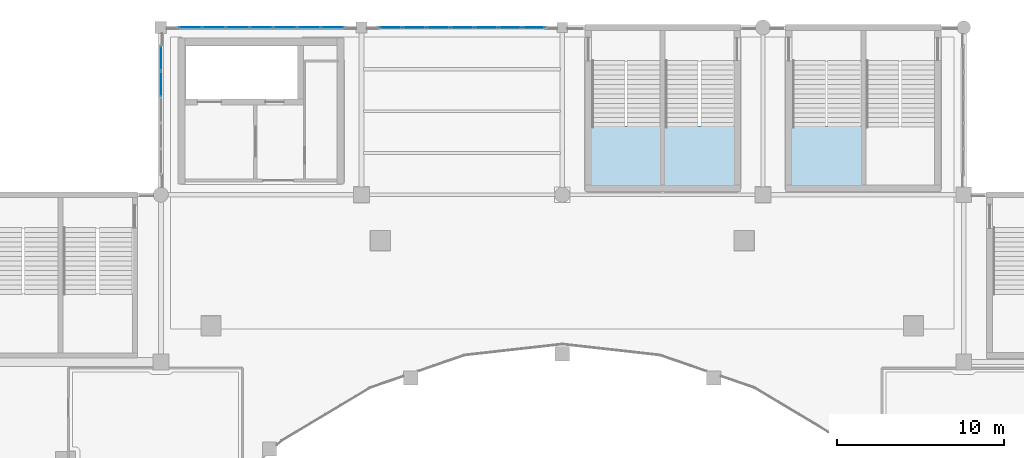
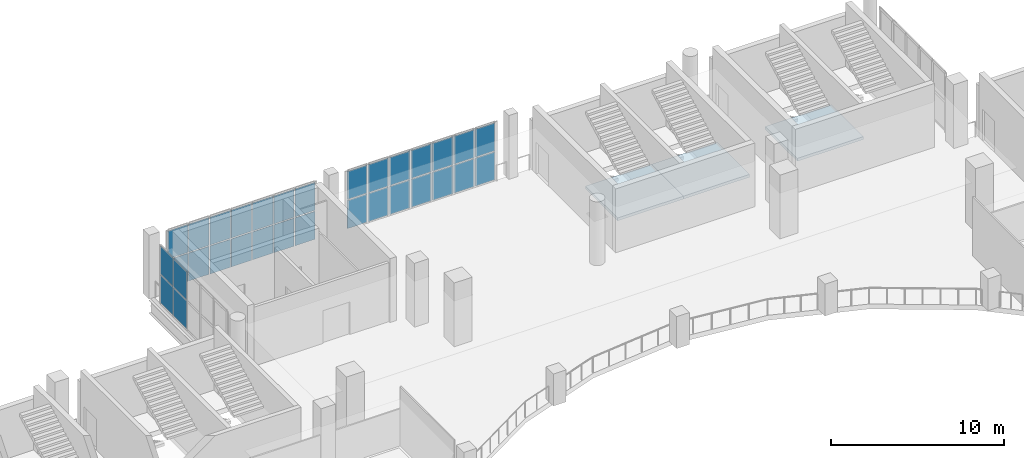
# One storey, part 55 of 90: 32 plates, 3 slabs, 6 elements without a shape of their own.
"""IFC4 building model written with IfcOpenShell, lengths in metres."""

from ifc_helpers import new_model, si_unit, direction, frame, origin, origin_2d, place, context, subcontext, project, spatial, polyline, rectangle, outline, extrude, material, layer, layer_set, type_object, element, aggregate, save


model = new_model("IFC4")

# Units and contexts
model_context = context("Model", 3, precision=1e-05, world=origin(), true_north=direction((0.0, 1.0)))
body_context = subcontext(model_context, "Body", "Model", "MODEL_VIEW")
ifc_project = project(units=[si_unit("LENGTHUNIT", "METRE"), si_unit("AREAUNIT", "SQUARE_METRE"), si_unit("VOLUMEUNIT", "CUBIC_METRE"), si_unit("PLANEANGLEUNIT", "RADIAN"), si_unit("MASSUNIT", "GRAM", prefix="KILO")], contexts=[model_context])

# Site, building, storey
site_placement = place(None, origin())
site = spatial("IfcSite", under=ifc_project, at=site_placement, CompositionType="ELEMENT")
building_placement = place(site_placement, origin())
building = spatial("IfcBuilding", under=site, at=building_placement, Name="Brinegate Civic Arena", CompositionType="ELEMENT")
storey_placement = place(building_placement, frame((0.0, 0.0, 14.699951171875)))
storey = spatial("IfcBuildingStorey", under=building, at=storey_placement, Name="L03", CompositionType="ELEMENT", Elevation=14.699951171875)

# Curtain wall, plates
ifc_material_1 = material(Name="Marine grade aluminium", Category="aluminium")
ifc_layer_1 = layer(ifc_material_1, 0.235107421875, Name="Marine grade aluminium")
ifc_layer_set_1 = layer_set([ifc_layer_1], Name="Marine grade aluminium")
curtain_wall_type = type_object("IfcCurtainWallType", Name="CW-PORTAL-NORTH-01", PredefinedType="USERDEFINED", material=ifc_layer_set_1)
curtain_wall_1_placement = place(storey_placement, origin())
curtain_wall_1 = element("IfcCurtainWall", 1, at=curtain_wall_1_placement, inside=storey, type_object=curtain_wall_type, Name="Curtain Wall CWA-124", ObjectType="PORTAL CURTAIN WALL", PredefinedType="USERDEFINED")
ifc_material_2 = material(Name="Hurricane laminated low-E glass", Category="glass")
ifc_layer_2 = layer(ifc_material_2, 0.028076171875, Name="Hurricane laminated low-E glass")
ifc_layer_set_2 = layer_set([ifc_layer_2], Name="Hurricane laminated low-E glass")
plate_type_1 = type_object("IfcPlateType", Name="CW-PANEL-GLAZED-28", PredefinedType="CURTAIN_PANEL", material=ifc_layer_set_2)
plate_1_placement = place(storey_placement, frame((85.771728515625, 124.0, 0.0751953125), z_axis=(0.0, 0.0, 1.0), x_axis=(1.0, 0.0, 0.0)))
plate_1 = element("IfcPlate", 2, at=plate_1_placement, type_object=plate_type_1, Name="CWA-124 panel 1.1", PredefinedType="CURTAIN_PANEL", context=body_context, shape_type="SweptSolid", body=[
    extrude(rectangle(XDim=1.3232421875, YDim=0.028076171875, at=origin_2d()), origin(), (0.0, 0.0, 1.0), 1.967529296875),
])
plate_2_placement = place(storey_placement, frame((85.771728515625, 124.0, 2.11767578125), z_axis=(0.0, 0.0, 1.0), x_axis=(1.0, 0.0, 0.0)))
plate_2 = element("IfcPlate", 3, at=plate_2_placement, type_object=plate_type_1, Name="CWA-124 panel 1.2", PredefinedType="CURTAIN_PANEL", context=body_context, shape_type="SweptSolid", body=[
    extrude(rectangle(XDim=1.3232421875, YDim=0.028076171875, at=origin_2d()), origin(), (0.0, 0.0, 1.0), 1.967529296875),
])
plate_3_placement = place(storey_placement, frame((87.176025390625, 124.0, 0.0751953125), z_axis=(0.0, 0.0, 1.0), x_axis=(1.0, 0.0, 0.0)))
plate_3 = element("IfcPlate", 4, at=plate_3_placement, type_object=plate_type_1, Name="CWA-124 panel 2.1", PredefinedType="CURTAIN_PANEL", context=body_context, shape_type="SweptSolid", body=[
    extrude(rectangle(XDim=1.355712890625, YDim=0.028076171875, at=origin_2d()), origin(), (0.0, 0.0, 1.0), 1.967529296875),
])
plate_4_placement = place(storey_placement, frame((87.176025390625, 124.0, 2.11767578125), z_axis=(0.0, 0.0, 1.0), x_axis=(1.0, 0.0, 0.0)))
plate_4 = element("IfcPlate", 5, at=plate_4_placement, type_object=plate_type_1, Name="CWA-124 panel 2.2", PredefinedType="CURTAIN_PANEL", context=body_context, shape_type="SweptSolid", body=[
    extrude(rectangle(XDim=1.355712890625, YDim=0.028076171875, at=origin_2d()), origin(), (0.0, 0.0, 1.0), 1.967529296875),
])
plate_5_placement = place(storey_placement, frame((88.5966796875, 124.0, 0.0751953125), z_axis=(0.0, 0.0, 1.0), x_axis=(1.0, 0.0, 0.0)))
plate_5 = element("IfcPlate", 6, at=plate_5_placement, type_object=plate_type_1, Name="CWA-124 panel 3.1", PredefinedType="CURTAIN_PANEL", context=body_context, shape_type="SweptSolid", body=[
    extrude(rectangle(XDim=1.355712890625, YDim=0.028076171875, at=origin_2d()), origin(), (0.0, 0.0, 1.0), 1.967529296875),
])
plate_6_placement = place(storey_placement, frame((88.5966796875, 124.0, 2.11767578125), z_axis=(0.0, 0.0, 1.0), x_axis=(1.0, 0.0, 0.0)))
plate_6 = element("IfcPlate", 7, at=plate_6_placement, type_object=plate_type_1, Name="CWA-124 panel 3.2", PredefinedType="CURTAIN_PANEL", context=body_context, shape_type="SweptSolid", body=[
    extrude(rectangle(XDim=1.355712890625, YDim=0.028076171875, at=origin_2d()), origin(), (0.0, 0.0, 1.0), 1.967529296875),
])
plate_7_placement = place(storey_placement, frame((90.017578125, 124.0, 0.0751953125), z_axis=(0.0, 0.0, 1.0), x_axis=(1.0, 0.0, 0.0)))
plate_7 = element("IfcPlate", 8, at=plate_7_placement, type_object=plate_type_1, Name="CWA-124 panel 4.1", PredefinedType="CURTAIN_PANEL", context=body_context, shape_type="SweptSolid", body=[
    extrude(rectangle(XDim=1.355712890625, YDim=0.028076171875, at=origin_2d()), origin(), (0.0, 0.0, 1.0), 1.967529296875),
])
plate_8_placement = place(storey_placement, frame((90.017578125, 124.0, 2.11767578125), z_axis=(0.0, 0.0, 1.0), x_axis=(1.0, 0.0, 0.0)))
plate_8 = element("IfcPlate", 9, at=plate_8_placement, type_object=plate_type_1, Name="CWA-124 panel 4.2", PredefinedType="CURTAIN_PANEL", context=body_context, shape_type="SweptSolid", body=[
    extrude(rectangle(XDim=1.355712890625, YDim=0.028076171875, at=origin_2d()), origin(), (0.0, 0.0, 1.0), 1.967529296875),
])
plate_9_placement = place(storey_placement, frame((91.438232421875, 124.0, 0.0751953125), z_axis=(0.0, 0.0, 1.0), x_axis=(1.0, 0.0, 0.0)))
plate_9 = element("IfcPlate", 10, at=plate_9_placement, type_object=plate_type_1, Name="CWA-124 panel 5.1", PredefinedType="CURTAIN_PANEL", context=body_context, shape_type="SweptSolid", body=[
    extrude(rectangle(XDim=1.355712890625, YDim=0.028076171875, at=origin_2d()), origin(), (0.0, 0.0, 1.0), 1.967529296875),
])
plate_10_placement = place(storey_placement, frame((91.438232421875, 124.0, 2.11767578125), z_axis=(0.0, 0.0, 1.0), x_axis=(1.0, 0.0, 0.0)))
plate_10 = element("IfcPlate", 11, at=plate_10_placement, type_object=plate_type_1, Name="CWA-124 panel 5.2", PredefinedType="CURTAIN_PANEL", context=body_context, shape_type="SweptSolid", body=[
    extrude(rectangle(XDim=1.355712890625, YDim=0.028076171875, at=origin_2d()), origin(), (0.0, 0.0, 1.0), 1.967529296875),
])
plate_11_placement = place(storey_placement, frame((92.85888671875, 124.0, 0.0751953125), z_axis=(0.0, 0.0, 1.0), x_axis=(1.0, 0.0, 0.0)))
plate_11 = element("IfcPlate", 12, at=plate_11_placement, type_object=plate_type_1, Name="CWA-124 panel 6.1", PredefinedType="CURTAIN_PANEL", context=body_context, shape_type="SweptSolid", body=[
    extrude(rectangle(XDim=1.355712890625, YDim=0.028076171875, at=origin_2d()), origin(), (0.0, 0.0, 1.0), 1.967529296875),
])
plate_12_placement = place(storey_placement, frame((92.85888671875, 124.0, 2.11767578125), z_axis=(0.0, 0.0, 1.0), x_axis=(1.0, 0.0, 0.0)))
plate_12 = element("IfcPlate", 13, at=plate_12_placement, type_object=plate_type_1, Name="CWA-124 panel 6.2", PredefinedType="CURTAIN_PANEL", context=body_context, shape_type="SweptSolid", body=[
    extrude(rectangle(XDim=1.355712890625, YDim=0.028076171875, at=origin_2d()), origin(), (0.0, 0.0, 1.0), 1.967529296875),
])
plate_13_placement = place(storey_placement, frame((94.263427734375, 124.0, 0.0751953125), z_axis=(0.0, 0.0, 1.0), x_axis=(1.0, 0.0, 0.0)))
plate_13 = element("IfcPlate", 14, at=plate_13_placement, type_object=plate_type_1, Name="CWA-124 panel 7.1", PredefinedType="CURTAIN_PANEL", context=body_context, shape_type="SweptSolid", body=[
    extrude(rectangle(XDim=1.3232421875, YDim=0.028076171875, at=origin_2d()), origin(), (0.0, 0.0, 1.0), 1.967529296875),
])
plate_14_placement = place(storey_placement, frame((94.263427734375, 124.0, 2.11767578125), z_axis=(0.0, 0.0, 1.0), x_axis=(1.0, 0.0, 0.0)))
plate_14 = element("IfcPlate", 15, at=plate_14_placement, type_object=plate_type_1, Name="CWA-124 panel 7.2", PredefinedType="CURTAIN_PANEL", context=body_context, shape_type="SweptSolid", body=[
    extrude(rectangle(XDim=1.3232421875, YDim=0.028076171875, at=origin_2d()), origin(), (0.0, 0.0, 1.0), 1.967529296875),
])
aggregate(curtain_wall_1, [plate_1, plate_2, plate_3, plate_4, plate_5, plate_6, plate_7, plate_8, plate_9, plate_10, plate_11, plate_12, plate_13, plate_14])

curtain_wall_2_placement = place(storey_placement, origin())
curtain_wall_2 = element("IfcCurtainWall", 16, at=curtain_wall_2_placement, inside=storey, type_object=curtain_wall_type, Name="Curtain Wall CWA-128", ObjectType="PORTAL CURTAIN WALL", PredefinedType="USERDEFINED")
plate_15_placement = place(storey_placement, frame((84.0, 120.624267578125, 0.065185546875), z_axis=(0.0, 0.0, 1.0), x_axis=(0.0, 1.0, 0.0)))
plate_15 = element("IfcPlate", 17, at=plate_15_placement, type_object=plate_type_1, Name="CWA-128 panel 4.1", PredefinedType="CURTAIN_PANEL", context=body_context, shape_type="SweptSolid", body=[
    extrude(rectangle(XDim=1.48876953125, YDim=0.028076171875, at=origin_2d()), origin(), (0.0, 0.0, 1.0), 1.982421875),
])
plate_16_placement = place(storey_placement, frame((84.0, 120.624267578125, 2.112548828125), z_axis=(0.0, 0.0, 1.0), x_axis=(0.0, 1.0, 0.0)))
plate_16 = element("IfcPlate", 18, at=plate_16_placement, type_object=plate_type_1, Name="CWA-128 panel 4.2", PredefinedType="CURTAIN_PANEL", context=body_context, shape_type="SweptSolid", body=[
    extrude(rectangle(XDim=1.48876953125, YDim=0.028076171875, at=origin_2d()), origin(), (0.0, 0.0, 1.0), 1.982421875),
])
plate_17_placement = place(storey_placement, frame((84.0, 122.161865234375, 0.065185546875), z_axis=(0.0, 0.0, 1.0), x_axis=(0.0, 1.0, 0.0)))
plate_17 = element("IfcPlate", 19, at=plate_17_placement, type_object=plate_type_1, Name="CWA-128 panel 5.1", PredefinedType="CURTAIN_PANEL", context=body_context, shape_type="SweptSolid", body=[
    extrude(rectangle(XDim=1.456298828125, YDim=0.028076171875, at=origin_2d()), origin(), (0.0, 0.0, 1.0), 1.982421875),
])
plate_18_placement = place(storey_placement, frame((84.0, 122.161865234375, 2.112548828125), z_axis=(0.0, 0.0, 1.0), x_axis=(0.0, 1.0, 0.0)))
plate_18 = element("IfcPlate", 20, at=plate_18_placement, type_object=plate_type_1, Name="CWA-128 panel 5.2", PredefinedType="CURTAIN_PANEL", context=body_context, shape_type="SweptSolid", body=[
    extrude(rectangle(XDim=1.456298828125, YDim=0.028076171875, at=origin_2d()), origin(), (0.0, 0.0, 1.0), 1.982421875),
])
aggregate(curtain_wall_2, [plate_15, plate_16, plate_17, plate_18])

curtain_wall_3_placement = place(storey_placement, origin())
curtain_wall_3 = element("IfcCurtainWall", 21, at=curtain_wall_3_placement, inside=storey, type_object=curtain_wall_type, Name="Curtain Wall CWA-126", ObjectType="PORTAL CURTAIN WALL", PredefinedType="USERDEFINED")
ifc_layer_3 = layer(ifc_material_2, 0.035888671875, Name="Hurricane laminated low-E glass")
ifc_layer_set_3 = layer_set([ifc_layer_3], Name="Hurricane laminated low-E glass")
plate_type_2 = type_object("IfcPlateType", Name="CW-PANEL-GLAZED-36", PredefinedType="CURTAIN_PANEL", material=ifc_layer_set_3)
plate_19_placement = place(storey_placement, frame((97.744140625, 124.0, 0.065185546875), z_axis=(0.0, 0.0, 1.0), x_axis=(1.0, 0.0, 0.0)))
plate_19 = element("IfcPlate", 22, at=plate_19_placement, type_object=plate_type_2, Name="CWA-126 panel 1.1", PredefinedType="CURTAIN_PANEL", context=body_context, shape_type="SweptSolid", body=[
    extrude(rectangle(XDim=1.318359375, YDim=0.035888671875, at=origin_2d()), origin(), (0.0, 0.0, 1.0), 1.982421875),
])
plate_20_placement = place(storey_placement, frame((97.744140625, 124.0, 2.112548828125), z_axis=(0.0, 0.0, 1.0), x_axis=(1.0, 0.0, 0.0)))
plate_20 = element("IfcPlate", 23, at=plate_20_placement, type_object=plate_type_2, Name="CWA-126 panel 1.2", PredefinedType="CURTAIN_PANEL", context=body_context, shape_type="SweptSolid", body=[
    extrude(rectangle(XDim=1.318359375, YDim=0.035888671875, at=origin_2d()), origin(), (0.0, 0.0, 1.0), 1.982421875),
])
plate_21_placement = place(storey_placement, frame((99.15625, 124.0, 0.065185546875), z_axis=(0.0, 0.0, 1.0), x_axis=(1.0, 0.0, 0.0)))
plate_21 = element("IfcPlate", 24, at=plate_21_placement, type_object=plate_type_2, Name="CWA-126 panel 2.1", PredefinedType="CURTAIN_PANEL", context=body_context, shape_type="SweptSolid", body=[
    extrude(rectangle(XDim=1.35595703125, YDim=0.035888671875, at=origin_2d()), origin(), (0.0, 0.0, 1.0), 1.982421875),
])
plate_22_placement = place(storey_placement, frame((99.15625, 124.0, 2.112548828125), z_axis=(0.0, 0.0, 1.0), x_axis=(1.0, 0.0, 0.0)))
plate_22 = element("IfcPlate", 25, at=plate_22_placement, type_object=plate_type_2, Name="CWA-126 panel 2.2", PredefinedType="CURTAIN_PANEL", context=body_context, shape_type="SweptSolid", body=[
    extrude(rectangle(XDim=1.35595703125, YDim=0.035888671875, at=origin_2d()), origin(), (0.0, 0.0, 1.0), 1.982421875),
])
plate_23_placement = place(storey_placement, frame((100.587158203125, 124.0, 0.065185546875), z_axis=(0.0, 0.0, 1.0), x_axis=(1.0, 0.0, 0.0)))
plate_23 = element("IfcPlate", 26, at=plate_23_placement, type_object=plate_type_2, Name="CWA-126 panel 3.1", PredefinedType="CURTAIN_PANEL", context=body_context, shape_type="SweptSolid", body=[
    extrude(rectangle(XDim=1.35595703125, YDim=0.035888671875, at=origin_2d()), origin(), (0.0, 0.0, 1.0), 1.982421875),
])
plate_24_placement = place(storey_placement, frame((100.587158203125, 124.0, 2.112548828125), z_axis=(0.0, 0.0, 1.0), x_axis=(1.0, 0.0, 0.0)))
plate_24 = element("IfcPlate", 27, at=plate_24_placement, type_object=plate_type_2, Name="CWA-126 panel 3.2", PredefinedType="CURTAIN_PANEL", context=body_context, shape_type="SweptSolid", body=[
    extrude(rectangle(XDim=1.35595703125, YDim=0.035888671875, at=origin_2d()), origin(), (0.0, 0.0, 1.0), 1.982421875),
])
plate_25_placement = place(storey_placement, frame((102.01806640625, 124.0, 0.065185546875), z_axis=(0.0, 0.0, 1.0), x_axis=(1.0, 0.0, 0.0)))
plate_25 = element("IfcPlate", 28, at=plate_25_placement, type_object=plate_type_2, Name="CWA-126 panel 4.1", PredefinedType="CURTAIN_PANEL", context=body_context, shape_type="SweptSolid", body=[
    extrude(rectangle(XDim=1.35595703125, YDim=0.035888671875, at=origin_2d()), origin(), (0.0, 0.0, 1.0), 1.982421875),
])
plate_26_placement = place(storey_placement, frame((102.01806640625, 124.0, 2.112548828125), z_axis=(0.0, 0.0, 1.0), x_axis=(1.0, 0.0, 0.0)))
plate_26 = element("IfcPlate", 29, at=plate_26_placement, type_object=plate_type_2, Name="CWA-126 panel 4.2", PredefinedType="CURTAIN_PANEL", context=body_context, shape_type="SweptSolid", body=[
    extrude(rectangle(XDim=1.35595703125, YDim=0.035888671875, at=origin_2d()), origin(), (0.0, 0.0, 1.0), 1.982421875),
])
plate_27_placement = place(storey_placement, frame((103.448974609375, 124.0, 0.065185546875), z_axis=(0.0, 0.0, 1.0), x_axis=(1.0, 0.0, 0.0)))
plate_27 = element("IfcPlate", 30, at=plate_27_placement, type_object=plate_type_2, Name="CWA-126 panel 5.1", PredefinedType="CURTAIN_PANEL", context=body_context, shape_type="SweptSolid", body=[
    extrude(rectangle(XDim=1.35595703125, YDim=0.035888671875, at=origin_2d()), origin(), (0.0, 0.0, 1.0), 1.982421875),
])
plate_28_placement = place(storey_placement, frame((103.448974609375, 124.0, 2.112548828125), z_axis=(0.0, 0.0, 1.0), x_axis=(1.0, 0.0, 0.0)))
plate_28 = element("IfcPlate", 31, at=plate_28_placement, type_object=plate_type_2, Name="CWA-126 panel 5.2", PredefinedType="CURTAIN_PANEL", context=body_context, shape_type="SweptSolid", body=[
    extrude(rectangle(XDim=1.35595703125, YDim=0.035888671875, at=origin_2d()), origin(), (0.0, 0.0, 1.0), 1.982421875),
])
plate_29_placement = place(storey_placement, frame((104.879638671875, 124.0, 0.065185546875), z_axis=(0.0, 0.0, 1.0), x_axis=(1.0, 0.0, 0.0)))
plate_29 = element("IfcPlate", 32, at=plate_29_placement, type_object=plate_type_2, Name="CWA-126 panel 6.1", PredefinedType="CURTAIN_PANEL", context=body_context, shape_type="SweptSolid", body=[
    extrude(rectangle(XDim=1.35595703125, YDim=0.035888671875, at=origin_2d()), origin(), (0.0, 0.0, 1.0), 1.982421875),
])
plate_30_placement = place(storey_placement, frame((104.879638671875, 124.0, 2.112548828125), z_axis=(0.0, 0.0, 1.0), x_axis=(1.0, 0.0, 0.0)))
plate_30 = element("IfcPlate", 33, at=plate_30_placement, type_object=plate_type_2, Name="CWA-126 panel 6.2", PredefinedType="CURTAIN_PANEL", context=body_context, shape_type="SweptSolid", body=[
    extrude(rectangle(XDim=1.35595703125, YDim=0.035888671875, at=origin_2d()), origin(), (0.0, 0.0, 1.0), 1.982421875),
])
plate_31_placement = place(storey_placement, frame((106.291748046875, 124.0, 0.065185546875), z_axis=(0.0, 0.0, 1.0), x_axis=(1.0, 0.0, 0.0)))
plate_31 = element("IfcPlate", 34, at=plate_31_placement, type_object=plate_type_2, Name="CWA-126 panel 7.1", PredefinedType="CURTAIN_PANEL", context=body_context, shape_type="SweptSolid", body=[
    extrude(rectangle(XDim=1.318359375, YDim=0.035888671875, at=origin_2d()), origin(), (0.0, 0.0, 1.0), 1.982421875),
])
plate_32_placement = place(storey_placement, frame((106.291748046875, 124.0, 2.112548828125), z_axis=(0.0, 0.0, 1.0), x_axis=(1.0, 0.0, 0.0)))
plate_32 = element("IfcPlate", 35, at=plate_32_placement, type_object=plate_type_2, Name="CWA-126 panel 7.2", PredefinedType="CURTAIN_PANEL", context=body_context, shape_type="SweptSolid", body=[
    extrude(rectangle(XDim=1.318359375, YDim=0.035888671875, at=origin_2d()), origin(), (0.0, 0.0, 1.0), 1.982421875),
])
aggregate(curtain_wall_3, [plate_19, plate_20, plate_21, plate_22, plate_23, plate_24, plate_25, plate_26, plate_27, plate_28, plate_29, plate_30, plate_31, plate_32])

# Stair, slab
ifc_material_3 = material(Name="Concrete C40/50", Category="concrete")
stair_type_1 = type_object("IfcStairType", Name="STAIR-EXIT-3850", PredefinedType="HALF_TURN_STAIR", material=ifc_material_3)
stair_1_placement = place(storey_placement, origin())
stair_1 = element("IfcStair", 36, at=stair_1_placement, inside=storey, type_object=stair_type_1, Name="Protected Exit Stair ST-03A (L03)", PredefinedType="HALF_TURN_STAIR")
ifc_layer_4 = layer(ifc_material_3, 0.199951171875, Name="Concrete C40/50")
ifc_layer_set_4 = layer_set([ifc_layer_4], Name="Concrete C40/50")
slab_type = type_object("IfcSlabType", Name="SLAB-LANDING-200", PredefinedType="LANDING", material=ifc_layer_set_4)
slab_1_placement = place(storey_placement, frame((0.0, 0.0, 2.050048828125)))
slab_1 = element("IfcSlab", 37, at=slab_1_placement, type_object=slab_type, Name="ST-03A landing 1", PredefinedType="LANDING", context=body_context, shape_type="SweptSolid", body=[
    extrude(outline(polyline([(121.594970703125, 114.39990234375), (126.0048828125, 114.39990234375), (126.0048828125, 118.1201171875), (121.594970703125, 118.1201171875), (121.594970703125, 114.39990234375)])), origin(), (0.0, 0.0, 1.0), 0.199951171875),
])
aggregate(stair_1, [slab_1])

stair_2_placement = place(storey_placement, origin())
stair_2 = element("IfcStair", 38, at=stair_2_placement, inside=storey, type_object=stair_type_1, Name="Protected Exit Stair ST-15A (L03)", PredefinedType="HALF_TURN_STAIR")
slab_2_placement = place(storey_placement, frame((0.0, 0.0, 2.050048828125)))
slab_2 = element("IfcSlab", 39, at=slab_2_placement, type_object=slab_type, Name="ST-15A landing 1", PredefinedType="LANDING", context=body_context, shape_type="SweptSolid", body=[
    extrude(outline(polyline([(109.594970703125, 114.39990234375), (114.0048828125, 114.39990234375), (114.0048828125, 118.1201171875), (109.594970703125, 118.1201171875), (109.594970703125, 114.39990234375)])), origin(), (0.0, 0.0, 1.0), 0.199951171875),
])
aggregate(stair_2, [slab_2])

stair_type_2 = type_object("IfcStairType", Name="STAIR-EXIT-3700", PredefinedType="HALF_TURN_STAIR", material=ifc_material_3)
stair_3_placement = place(storey_placement, origin())
stair_3 = element("IfcStair", 40, at=stair_3_placement, inside=storey, type_object=stair_type_2, Name="Protected Exit Stair ST-15B (L03)", PredefinedType="HALF_TURN_STAIR")
slab_3_placement = place(storey_placement, frame((0.0, 0.0, 2.050048828125)))
slab_3 = element("IfcSlab", 41, at=slab_3_placement, type_object=slab_type, Name="ST-15B landing 1", PredefinedType="LANDING", context=body_context, shape_type="SweptSolid", body=[
    extrude(outline(polyline([(113.9951171875, 114.39990234375), (118.405029296875, 114.39990234375), (118.405029296875, 118.1201171875), (113.9951171875, 118.1201171875), (113.9951171875, 114.39990234375)])), origin(), (0.0, 0.0, 1.0), 0.199951171875),
])
aggregate(stair_3, [slab_3])

save(model, "model.ifc")
